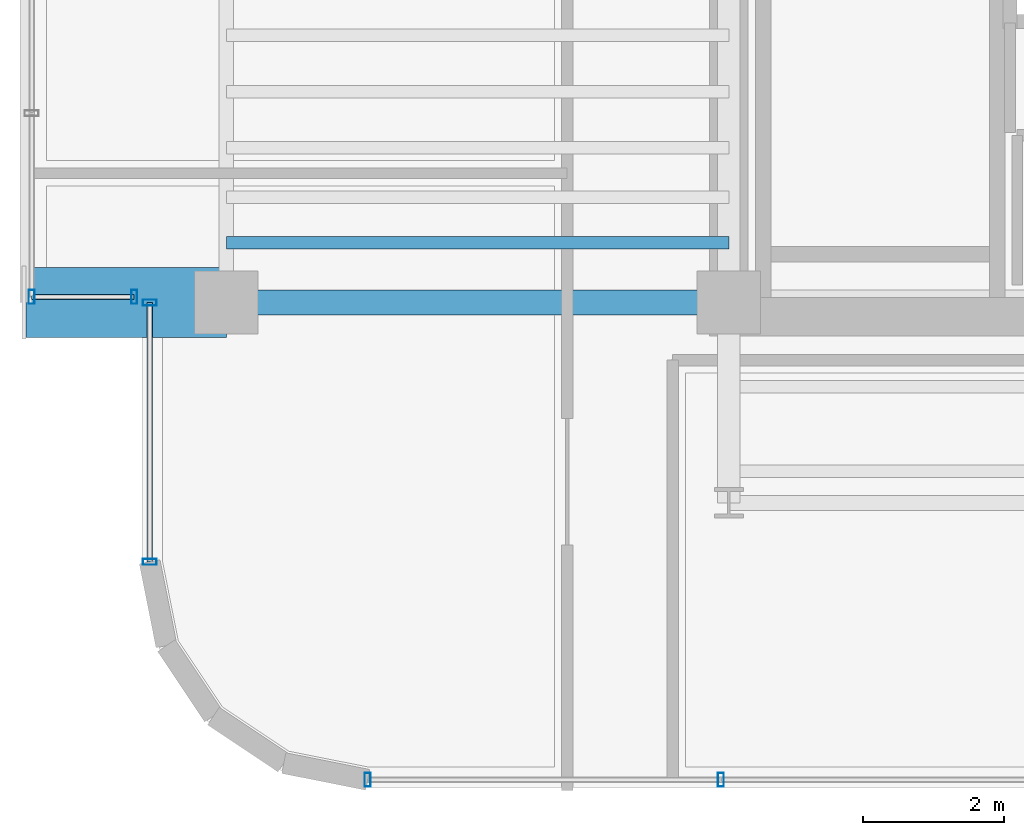
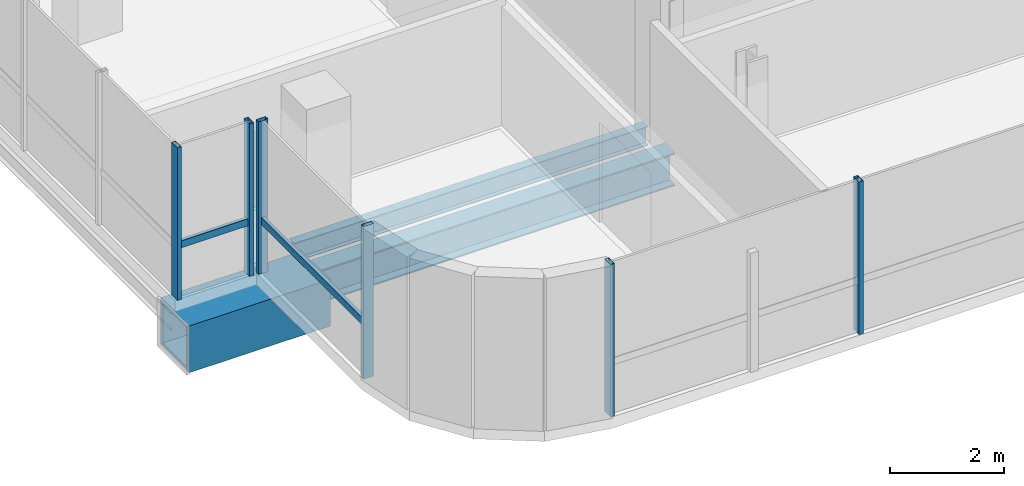
# One storey, part 2 of 22: 8 members, 3 beams, 3 elements without a shape of their own.
"""IFC4 building model written with IfcOpenShell, lengths in metres."""

from ifc_helpers import new_model, si_unit, direction, frame, origin, origin_2d, place, context, subcontext, project, spatial, hollow_rectangle, i_section, extrude, source, transform, mapped, material, material_profile, profile_set, type_object, element, aggregate, save


model = new_model("IFC4")

# Units and contexts
model_context = context("Model", 3, precision=1e-05, world=origin(), true_north=direction((0.0, 1.0)))
body_context = subcontext(model_context, "Body", "Model", "MODEL_VIEW")
ifc_project = project(units=[si_unit("LENGTHUNIT", "METRE"), si_unit("AREAUNIT", "SQUARE_METRE"), si_unit("VOLUMEUNIT", "CUBIC_METRE"), si_unit("PLANEANGLEUNIT", "RADIAN"), si_unit("MASSUNIT", "GRAM", prefix="KILO")], contexts=[model_context])

# Site, building, storey
site_placement = place(None, origin())
site = spatial("IfcSite", under=ifc_project, at=site_placement, CompositionType="ELEMENT")
building_placement = place(site_placement, origin())
building = spatial("IfcBuilding", under=site, at=building_placement, Name="Valdorenza Pilgrim Sanctuary Tower", CompositionType="ELEMENT")
storey_placement = place(building_placement, frame((0.0, 0.0, 237.0)))
storey = spatial("IfcBuildingStorey", under=building, at=storey_placement, Name="L61", CompositionType="ELEMENT", Elevation=237.0)

# Beams
ifc_material_1 = material(Name="Steel ASTM A572 Grade 42", Category="steel")
ifc_material_profile_1 = material_profile(ifc_material_1, hollow_rectangle(XDim=1.0, YDim=1.0, WallThickness=0.080078125, at=origin_2d()), Name="BOX 1000x1000x80")
ifc_profile_set_1 = profile_set([ifc_material_profile_1], Name="Steel ASTM A572 Grade 42")
beam_type_1 = type_object("IfcBeamType", Name="STR-BM-PROW-CANT", PredefinedType="BEAM", material=ifc_profile_set_1)
shared_shape_1 = source(origin(), body_context, "Body", "SweptSolid", [
    extrude(hollow_rectangle(XDim=1.0, YDim=1.0, WallThickness=0.080078125, at=origin_2d()), origin(), (0.0, 0.0, 1.0), 2.849853515625),
])
beam_1_placement = place(storey_placement, frame((-29.800048828125, -10.60009765625, -0.739990234375), z_axis=(-1.0, 0.0, 0.0), x_axis=(0.0, -1.0, 0.0)))
element("IfcBeam", 1, at=beam_1_placement, inside=storey, type_object=beam_type_1, Name="L61 Glass Box Cantilever Beam BOX-WA-L61-CT-S", PredefinedType="BEAM", context=body_context, shape_type="MappedRepresentation", body=[
    mapped(shared_shape_1, transform((0.0, 0.0, 0.0), x_axis=(1.0, 0.0, 0.0), y_axis=(0.0, 1.0, 0.0), z_axis=(0.0, 0.0, 1.0), scale=1.0)),
])
ifc_material_2 = material(Name="Steel ASTM A992 Grade 50", Category="steel")
ifc_material_profile_2 = material_profile(ifc_material_2, i_section(OverallWidth=0.35595703125, OverallDepth=0.700927734375, WebThickness=0.016845703125, FlangeThickness=0.02734375, at=origin_2d()), Name="W27X161")
ifc_profile_set_2 = profile_set([ifc_material_profile_2], Name="Steel ASTM A992 Grade 50")
beam_type_2 = type_object("IfcBeamType", Name="STR-BM-GRD-W27", PredefinedType="BEAM", material=ifc_profile_set_2)
shared_shape_2 = source(origin(), body_context, "Body", "SweptSolid", [
    extrude(i_section(OverallWidth=0.35595703125, OverallDepth=0.700927734375, WebThickness=0.016845703125, FlangeThickness=0.02734375, at=origin_2d()), origin(), (0.0, 0.0, 1.0), 7.150146484375),
])
beam_2_placement = place(storey_placement, frame((-29.800048828125, -10.60009765625, -0.590576171875), z_axis=(1.0, 0.0, 0.0), x_axis=(0.0, 1.0, 0.0)))
element("IfcBeam", 2, at=beam_2_placement, inside=storey, type_object=beam_type_2, Name="L61 Floor Girder WA-XW-S1", PredefinedType="BEAM", context=body_context, shape_type="MappedRepresentation", body=[
    mapped(shared_shape_2, transform((0.0, 0.0, 0.0), x_axis=(1.0, 0.0, 0.0), y_axis=(0.0, 1.0, 0.0), z_axis=(0.0, 0.0, 1.0), scale=1.0)),
])
ifc_material_profile_3 = material_profile(ifc_material_2, i_section(OverallWidth=0.177978515625, OverallDepth=0.406005859375, WebThickness=0.0078125, FlangeThickness=0.0126953125, at=origin_2d()), Name="W16X40")
ifc_profile_set_3 = profile_set([ifc_material_profile_3], Name="Steel ASTM A992 Grade 50")
beam_type_3 = type_object("IfcBeamType", Name="STR-BM-JST-W16", PredefinedType="JOIST", material=ifc_profile_set_3)
shared_shape_3 = source(origin(), body_context, "Body", "SweptSolid", [
    extrude(i_section(OverallWidth=0.177978515625, OverallDepth=0.406005859375, WebThickness=0.0078125, FlangeThickness=0.0126953125, at=origin_2d()), origin(), (0.0, 0.0, 1.0), 7.150146484375),
])
beam_3_placement = place(storey_placement, frame((-29.800048828125, -9.75, -0.443115234375), z_axis=(1.0, 0.0, 0.0), x_axis=(0.0, 1.0, 0.0)))
element("IfcBeam", 3, at=beam_3_placement, inside=storey, type_object=beam_type_3, Name="L61 Composite Floor Joist JST-WA-1", PredefinedType="JOIST", context=body_context, shape_type="MappedRepresentation", body=[
    mapped(shared_shape_3, transform((0.0, 0.0, 0.0), x_axis=(1.0, 0.0, 0.0), y_axis=(0.0, 1.0, 0.0), z_axis=(0.0, 0.0, 1.0), scale=1.0)),
])

# Curtain wall, member
ifc_material_3 = material(Name="Curtain-wall IGU glazing", Category="glass")
curtain_wall_type = type_object("IfcCurtainWallType", Name="CW-SYS-02", PredefinedType="NOTDEFINED", material=ifc_material_3)
curtain_wall_1_placement = place(storey_placement, origin())
curtain_wall_1 = element("IfcCurtainWall", 4, at=curtain_wall_1_placement, inside=storey, type_object=curtain_wall_type, Name="L61 Curtain Wall CW-L61-BOX-WA-L61-S", PredefinedType="NOTDEFINED")
ifc_material_4 = material(Name="Anodised aluminium AW-6060", Category="aluminium")
ifc_material_profile_4 = material_profile(ifc_material_4, hollow_rectangle(XDim=0.074951171875, YDim=0.14990234375, WallThickness=0.00390625, at=origin_2d()), Name="ALU-T 150x75x4")
ifc_profile_set_4 = profile_set([ifc_material_profile_4], Name="Anodised aluminium AW-6060")
member_type_1 = type_object("IfcMemberType", Name="CW-TRN-02", PredefinedType="USERDEFINED", material=ifc_profile_set_4)
shared_shape_4 = source(origin(), body_context, "Body", "SweptSolid", [
    extrude(hollow_rectangle(XDim=0.074951171875, YDim=0.14990234375, WallThickness=0.00390625, at=origin_2d()), origin(), (0.0, 0.0, 1.0), 1.4599609375),
])
member_1_placement = place(storey_placement, frame((-31.110107421875, -10.52001953125, 1.1201171875), z_axis=(-1.0, 0.0, 0.0), x_axis=(0.0, -1.0, 0.0)))
member_1 = element("IfcMember", 5, at=member_1_placement, type_object=member_type_1, Name="CW-L61-BOX-WA-L61-S Transom 1", ObjectType="TRANSOM", PredefinedType="USERDEFINED", context=body_context, shape_type="MappedRepresentation", body=[
    mapped(shared_shape_4, transform((0.0, 0.0, 0.0), x_axis=(1.0, 0.0, 0.0), y_axis=(0.0, 1.0, 0.0), z_axis=(0.0, 0.0, 1.0), scale=1.0)),
])

# Curtain wall, members
curtain_wall_2_placement = place(storey_placement, origin())
curtain_wall_2 = element("IfcCurtainWall", 6, at=curtain_wall_2_placement, inside=storey, type_object=curtain_wall_type, Name="L61 Curtain Wall CW-L61-1-1S1", PredefinedType="NOTDEFINED")
shared_shape_5 = source(origin(), body_context, "Body", "SweptSolid", [
    extrude(hollow_rectangle(XDim=0.074951171875, YDim=0.14990234375, WallThickness=0.00390625, at=origin_2d()), origin(), (0.0, 0.0, 1.0), 3.689208984375),
])
member_2_placement = place(storey_placement, frame((-30.889892578125, -14.289306640625, 1.1201171875), z_axis=(0.0, 1.0, 0.0), x_axis=(-1.0, 0.0, 0.0)))
member_2 = element("IfcMember", 7, at=member_2_placement, type_object=member_type_1, Name="CW-L61-1-1S1 Transom 1", ObjectType="TRANSOM", PredefinedType="USERDEFINED", context=body_context, shape_type="MappedRepresentation", body=[
    mapped(shared_shape_5, transform((0.0, 0.0, 0.0), x_axis=(1.0, 0.0, 0.0), y_axis=(0.0, 1.0, 0.0), z_axis=(0.0, 0.0, 1.0), scale=1.0)),
])
ifc_material_profile_5 = material_profile(ifc_material_4, hollow_rectangle(XDim=0.0849609375, YDim=0.199951171875, WallThickness=0.0048828125, at=origin_2d()), Name="ALU-M 200x85x5")
ifc_profile_set_5 = profile_set([ifc_material_profile_5], Name="Anodised aluminium AW-6060")
member_type_2 = type_object("IfcMemberType", Name="CW-MUL-02", PredefinedType="MULLION", material=ifc_profile_set_5)
shared_shape_6 = source(origin(), body_context, "Body", "SweptSolid", [
    extrude(hollow_rectangle(XDim=0.0849609375, YDim=0.199951171875, WallThickness=0.0048828125, at=origin_2d()), origin(), (0.0, 0.0, 1.0), 3.260009765625),
])
member_3_placement = place(storey_placement, frame((-30.889892578125, -14.289306640625, 0.0), z_axis=(0.0, 0.0, 1.0), x_axis=(0.0, 1.0, 0.0)))
member_3 = element("IfcMember", 8, at=member_3_placement, type_object=member_type_2, Name="CW-L61-1-1S1 Mullion 1", PredefinedType="MULLION", context=body_context, shape_type="MappedRepresentation", body=[
    mapped(shared_shape_6, transform((0.0, 0.0, 0.0), x_axis=(1.0, 0.0, 0.0), y_axis=(0.0, 1.0, 0.0), z_axis=(0.0, 0.0, 1.0), scale=1.0)),
])
member_4_placement = place(storey_placement, frame((-30.889892578125, -10.60009765625, 0.0), z_axis=(0.0, 0.0, 1.0), x_axis=(0.0, 1.0, 0.0)))
member_4 = element("IfcMember", 9, at=member_4_placement, type_object=member_type_2, Name="CW-L61-1-1S1 Mullion 2", PredefinedType="MULLION", context=body_context, shape_type="MappedRepresentation", body=[
    mapped(shared_shape_6, transform((0.0, 0.0, 0.0), x_axis=(1.0, 0.0, 0.0), y_axis=(0.0, 1.0, 0.0), z_axis=(0.0, 0.0, 1.0), scale=1.0)),
])
aggregate(curtain_wall_2, [member_3, member_4, member_2])

curtain_wall_3_placement = place(storey_placement, origin())
curtain_wall_3 = element("IfcCurtainWall", 10, at=curtain_wall_3_placement, inside=storey, type_object=curtain_wall_type, Name="L61 Curtain Wall CW-L61-1-26", PredefinedType="NOTDEFINED")
member_5_placement = place(storey_placement, frame((-22.76318359375, -17.389892578125, 0.0), z_axis=(0.0, 0.0, 1.0), x_axis=(-1.0, 0.0, 0.0)))
member_5 = element("IfcMember", 11, at=member_5_placement, type_object=member_type_2, Name="CW-L61-1-26 Mullion 3", PredefinedType="MULLION", context=body_context, shape_type="MappedRepresentation", body=[
    mapped(shared_shape_6, transform((0.0, 0.0, 0.0), x_axis=(1.0, 0.0, 0.0), y_axis=(0.0, 1.0, 0.0), z_axis=(0.0, 0.0, 1.0), scale=1.0)),
])
member_6_placement = place(storey_placement, frame((-27.789306640625, -17.389892578125, 0.0), z_axis=(0.0, 0.0, 1.0), x_axis=(-1.0, 0.0, 0.0)))
member_6 = element("IfcMember", 12, at=member_6_placement, type_object=member_type_2, Name="CW-L61-1-26 Mullion 4", PredefinedType="MULLION", context=body_context, shape_type="MappedRepresentation", body=[
    mapped(shared_shape_6, transform((0.0, 0.0, 0.0), x_axis=(1.0, 0.0, 0.0), y_axis=(0.0, 1.0, 0.0), z_axis=(0.0, 0.0, 1.0), scale=1.0)),
])
aggregate(curtain_wall_3, [member_5, member_6])

# Member
member_7_placement = place(storey_placement, frame((-31.110107421875, -10.52001953125, 0.0), z_axis=(0.0, 0.0, 1.0), x_axis=(-1.0, 0.0, 0.0)))
member_7 = element("IfcMember", 13, at=member_7_placement, type_object=member_type_2, Name="CW-L61-BOX-WA-L61-S Mullion 1", PredefinedType="MULLION", context=body_context, shape_type="MappedRepresentation", body=[
    mapped(shared_shape_6, transform((0.0, 0.0, 0.0), x_axis=(1.0, 0.0, 0.0), y_axis=(0.0, 1.0, 0.0), z_axis=(0.0, 0.0, 1.0), scale=1.0)),
])

member_8_placement = place(storey_placement, frame((-32.570068359375, -10.52001953125, 0.0), z_axis=(0.0, 0.0, 1.0), x_axis=(-1.0, 0.0, 0.0)))
member_8 = element("IfcMember", 14, at=member_8_placement, type_object=member_type_2, Name="CW-L61-BOX-WA-L61-S Mullion 2", PredefinedType="MULLION", context=body_context, shape_type="MappedRepresentation", body=[
    mapped(shared_shape_6, transform((0.0, 0.0, 0.0), x_axis=(1.0, 0.0, 0.0), y_axis=(0.0, 1.0, 0.0), z_axis=(0.0, 0.0, 1.0), scale=1.0)),
])

aggregate(curtain_wall_1, [member_7, member_8, member_1])

save(model, "model.ifc")
